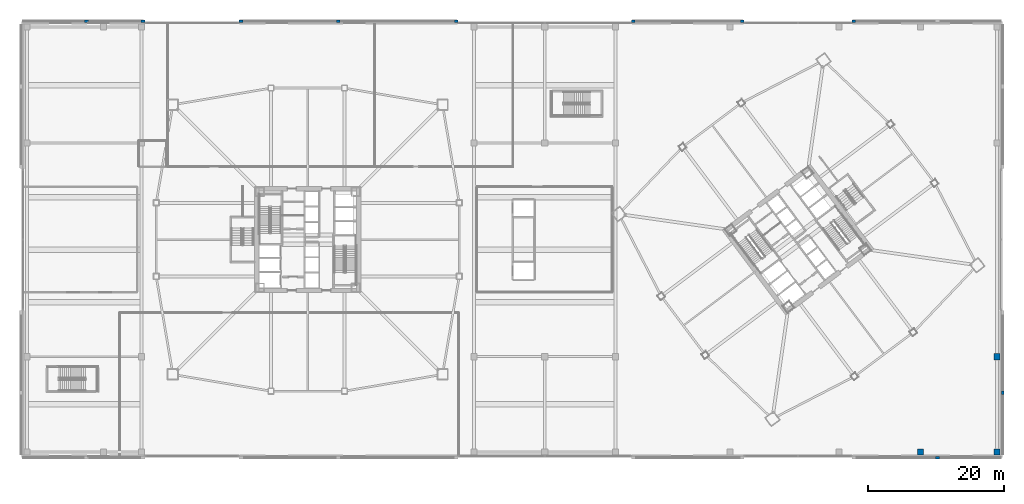
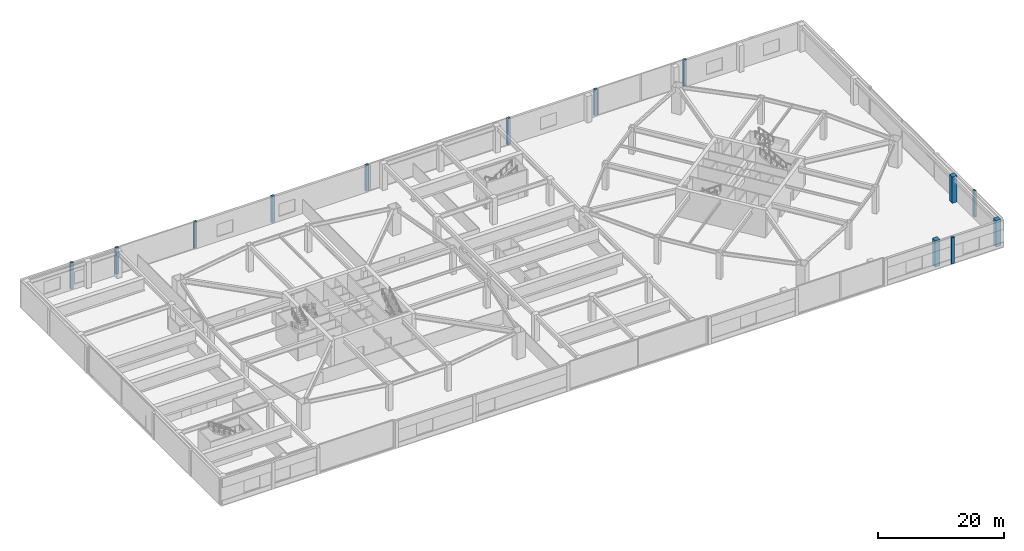
# One storey, part 3 of 48: 13 columns.
"""IFC4 building model written with IfcOpenShell, lengths in metres."""

from ifc_helpers import new_model, si_unit, direction, frame, origin, origin_2d, place, context, subcontext, project, spatial, rectangle, extrude, material, material_profile, profile_set, type_object, element, save


model = new_model("IFC4")

# Units and contexts
model_context = context("Model", 3, precision=1e-05, world=origin(), true_north=direction((0.0, 1.0)))
body_context = subcontext(model_context, "Body", "Model", "MODEL_VIEW")
ifc_project = project(units=[si_unit("LENGTHUNIT", "METRE"), si_unit("AREAUNIT", "SQUARE_METRE"), si_unit("VOLUMEUNIT", "CUBIC_METRE"), si_unit("PLANEANGLEUNIT", "RADIAN"), si_unit("MASSUNIT", "GRAM", prefix="KILO")], contexts=[model_context])

# Site, building, storey
site_placement = place(None, origin())
site = spatial("IfcSite", under=ifc_project, at=site_placement, CompositionType="ELEMENT")
building_placement = place(site_placement, origin())
building = spatial("IfcBuilding", under=site, at=building_placement, Name="Tashvorn Skyway Center", CompositionType="ELEMENT")
storey_placement = place(building_placement, frame((0.0, 0.0, 10.199951171875)))
storey = spatial("IfcBuildingStorey", under=building, at=storey_placement, Name="L02", CompositionType="ELEMENT", Elevation=10.199951171875)

# Columns
ifc_material_1 = material(Name="Concrete C50/60", Category="concrete")
ifc_material_profile_1 = material_profile(ifc_material_1, rectangle(XDim=0.89990234375, YDim=0.89990234375, at=origin_2d()), Name="RC900x900")
ifc_profile_set_1 = profile_set([ifc_material_profile_1], Name="Concrete C50/60")
column_type_1 = type_object("IfcColumnType", Name="COL-RC900x900", PredefinedType="COLUMN", material=ifc_profile_set_1)
for number, where, z_axis, x_axis, name in (
    (1, (132.0, 0.800048828125, 0.0), (0.0, 0.0, 1.0), (1.0, 0.0, 0.0), "L02 Podium Column PC-09-1"),
    (2, (143.199951171875, 0.800048828125, 0.0), (0.0, 0.0, 1.0), (1.0, 0.0, 0.0), "L02 Podium Column PC-10-1"),
    (3, (143.199951171875, 14.800048828125, 0.0), (0.0, 0.0, 1.0), (1.0, 0.0, 0.0), "L02 Podium Column PIC-06-1"),
):
    element("IfcColumn", number, at=place(storey_placement, frame(where, z_axis=z_axis, x_axis=x_axis)), inside=storey, type_object=column_type_1, Name=name, PredefinedType="COLUMN", context=body_context, shape_type="SweptSolid", body=[
        extrude(rectangle(XDim=0.89990234375, YDim=0.89990234375, at=origin_2d()), origin(), (0.0, 0.0, 1.0), 5.14013671875),
    ])
ifc_material_2 = material(Name="Precast concrete C40/50", Category="concrete")
ifc_material_profile_2 = material_profile(ifc_material_2, rectangle(XDim=0.550048828125, YDim=0.39990234375, at=origin_2d()), Name="RCPIL550x400")
ifc_profile_set_2 = profile_set([ifc_material_profile_2], Name="Precast concrete C40/50")
column_type_2 = type_object("IfcColumnType", Name="PIL-RCPIL550x400", PredefinedType="PILASTER", material=ifc_profile_set_2)
for number, where, z_axis, x_axis, name in (
    (4, (9.5, 64.050048828125, 0.0), (0.0, 0.0, 1.0), (1.0, 0.0, 0.0), "L02 North Terracotta Colonnade Pilaster 1"),
    (5, (17.800048828125, 64.050048828125, 0.0), (0.0, 0.0, 1.0), (1.0, 0.0, 0.0), "L02 North Terracotta Colonnade Pilaster 2"),
    (6, (32.199951171875, 64.050048828125, 0.0), (0.0, 0.0, 1.0), (1.0, 0.0, 0.0), "L02 North Terracotta Colonnade Pilaster 3"),
    (7, (46.5, 64.050048828125, 0.0), (0.0, 0.0, 1.0), (1.0, 0.0, 0.0), "L02 North Terracotta Colonnade Pilaster 4"),
    (8, (63.800048828125, 64.050048828125, 0.0), (0.0, 0.0, 1.0), (1.0, 0.0, 0.0), "L02 North Terracotta Colonnade Pilaster 5"),
    (9, (89.800048828125, 64.050048828125, 0.0), (0.0, 0.0, 1.0), (1.0, 0.0, 0.0), "L02 North Terracotta Colonnade Pilaster 6"),
    (10, (105.800048828125, 64.050048828125, 0.0), (0.0, 0.0, 1.0), (1.0, 0.0, 0.0), "L02 North Terracotta Colonnade Pilaster 7"),
    (11, (122.199951171875, 64.050048828125, 0.0), (0.0, 0.0, 1.0), (1.0, 0.0, 0.0), "L02 North Terracotta Colonnade Pilaster 8"),
    (12, (134.5, -0.050048828125, 0.0), (0.0, 0.0, 1.0), (1.0, 0.0, 0.0), "L02 South Terracotta Colonnade Pilaster 9"),
    (13, (144.050048828125, 9.5, 0.0), (0.0, 0.0, 1.0), (0.0, 1.0, 0.0), "L02 East Terracotta Colonnade Pilaster 1"),
):
    element("IfcColumn", number, at=place(storey_placement, frame(where, z_axis=z_axis, x_axis=x_axis)), inside=storey, type_object=column_type_2, Name=name, PredefinedType="PILASTER", context=body_context, shape_type="SweptSolid", body=[
        extrude(rectangle(XDim=0.550048828125, YDim=0.39990234375, at=origin_2d()), origin(), (0.0, 0.0, 1.0), 5.14013671875),
    ])

save(model, "model.ifc")
